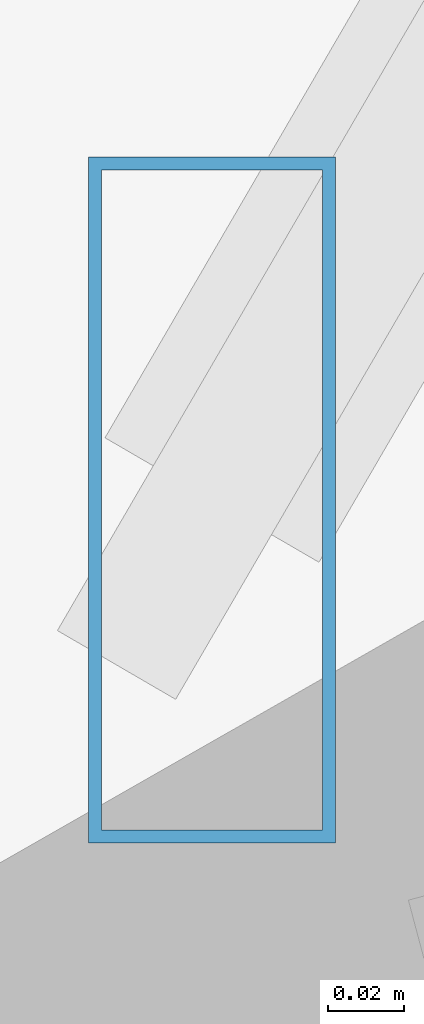
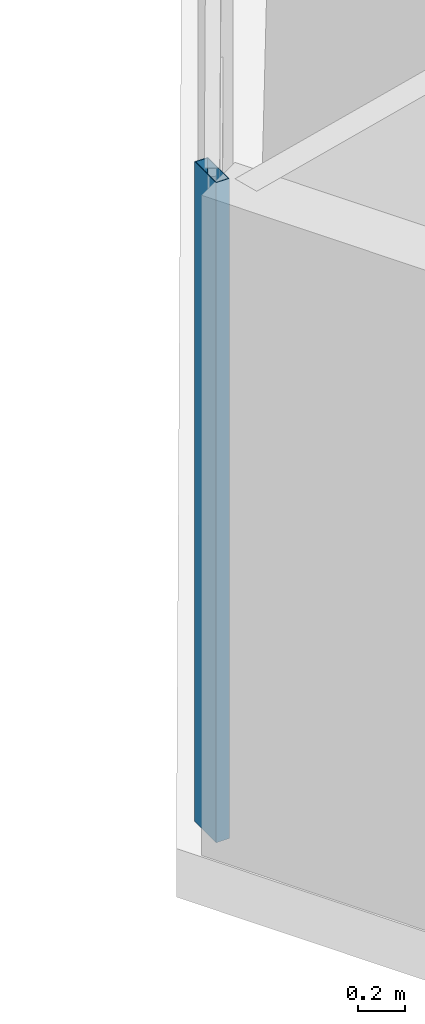
# One storey, part 5 of 34: 1 member, 1 element without a shape of its own.
"""IFC4 building model written with IfcOpenShell, lengths in metres."""

from ifc_helpers import new_model, si_unit, direction, frame, origin, origin_2d, place, context, subcontext, project, spatial, hollow_rectangle, extrude, source, transform, mapped, material, material_profile, profile_set, type_object, type_shapes, element, aggregate, save


model = new_model("IFC4")

# Units and contexts
model_context = context("Model", 3, precision=1e-05, world=origin(), true_north=direction((0.0, 1.0)))
body_context = subcontext(model_context, "Body", "Model", "MODEL_VIEW")
ifc_project = project(units=[si_unit("LENGTHUNIT", "METRE"), si_unit("AREAUNIT", "SQUARE_METRE"), si_unit("VOLUMEUNIT", "CUBIC_METRE"), si_unit("PLANEANGLEUNIT", "RADIAN"), si_unit("MASSUNIT", "GRAM", prefix="KILO")], contexts=[model_context])

# Site, building, storey
site_placement = place(None, origin())
site = spatial("IfcSite", under=ifc_project, at=site_placement, CompositionType="ELEMENT")
building_placement = place(site_placement, origin())
building = spatial("IfcBuilding", under=site, at=building_placement, Name="Caelisora Broadcast Tower", CompositionType="ELEMENT")
storey_placement = place(building_placement, frame((0.0, 0.0, 56.800048828125)))
storey = spatial("IfcBuildingStorey", under=building, at=storey_placement, Name="L14", CompositionType="ELEMENT", Elevation=56.800048828125)

# Curtain wall, member
ifc_material_1 = material(Name="Unitised Aluminium and Low-E Glass Curtain Wall", Category="glass")
curtain_wall_type = type_object("IfcCurtainWallType", Name="CW-Z1", PredefinedType="NOTDEFINED", material=ifc_material_1)
curtain_wall_placement = place(storey_placement, origin())
curtain_wall = element("IfcCurtainWall", 1, at=curtain_wall_placement, inside=storey, type_object=curtain_wall_type, Name="L14 curtain wall CW-Z1", PredefinedType="NOTDEFINED")
ifc_material_2 = material(Name="Aluminium 6063-T6 Anodised Terracotta Bronze", Category="aluminium")
ifc_material_profile = material_profile(ifc_material_2, hollow_rectangle(XDim=0.06494140625, YDim=0.179931640625, WallThickness=0.00341796875, at=origin_2d()), Name="Aluminium 6063-T6 Anodised Terracotta Bronze")
ifc_profile_set = profile_set([ifc_material_profile], Name="Aluminium 6063-T6 Anodised Terracotta Bronze")
member_type = type_object("IfcMemberType", Name="CWM-02", PredefinedType="MULLION", material=ifc_profile_set)
shared_shape = source(origin(), body_context, "Body", "SweptSolid", [
    extrude(hollow_rectangle(XDim=0.06494140625, YDim=0.179931640625, WallThickness=0.00341796875, at=origin_2d()), origin(), (0.0, 0.0, 1.0), 3.39990234375),
])
type_shapes(member_type, [shared_shape])
member_placement = place(storey_placement, frame((11.254150390625, 17.060302734375, 0.0), z_axis=(0.0, 0.0, 1.0), x_axis=(1.0, 0.0, 0.0)))
member = element("IfcMember", 2, at=member_placement, type_object=member_type, Name="L14-CW-B09 mullion #0", PredefinedType="MULLION", context=body_context, shape_type="MappedRepresentation", body=[
    mapped(shared_shape, transform((0.0, 0.0, 0.0), scale=1.0)),
])
aggregate(curtain_wall, [member])

save(model, "model.ifc")
